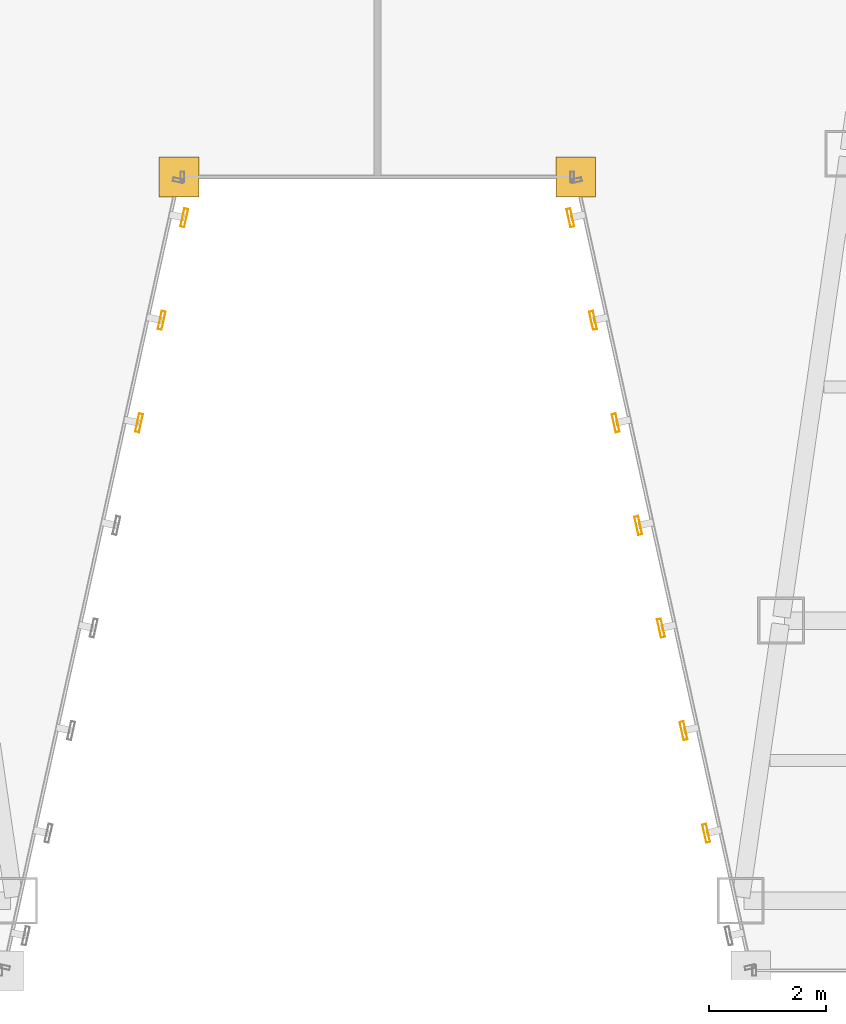
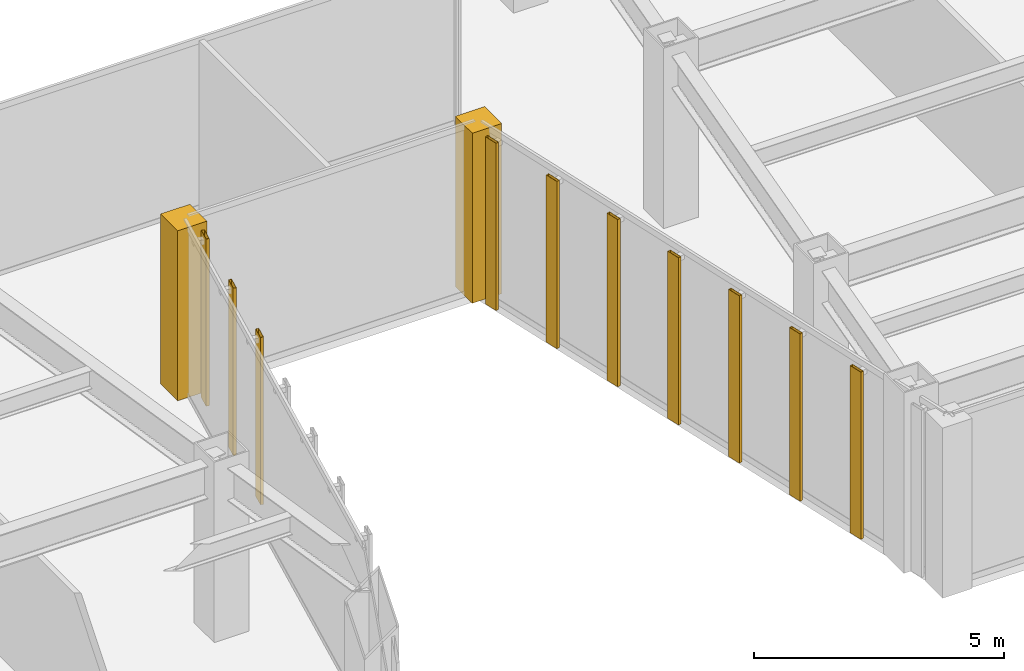
# One storey, part 42 of 47: 10 shading devices, 2 coverings.
"""IFC4 building model written with IfcOpenShell, lengths in metres."""

from ifc_helpers import new_model, si_unit, direction, frame, origin, origin_2d, place, context, subcontext, project, spatial, polyline, hollow_rectangle, outline, extrude, material, layer, layer_set, material_profile, profile_set, type_object, element, save


model = new_model("IFC4")

# Units and contexts
model_context = context("Model", 3, precision=1e-05, world=origin(), true_north=direction((0.0, 1.0)))
body_context = subcontext(model_context, "Body", "Model", "MODEL_VIEW")
ifc_project = project(units=[si_unit("LENGTHUNIT", "METRE"), si_unit("AREAUNIT", "SQUARE_METRE"), si_unit("VOLUMEUNIT", "CUBIC_METRE"), si_unit("PLANEANGLEUNIT", "RADIAN"), si_unit("MASSUNIT", "GRAM", prefix="KILO")], contexts=[model_context])

# Site, building, storey
site_placement = place(None, origin())
site = spatial("IfcSite", under=ifc_project, at=site_placement, CompositionType="ELEMENT")
building_placement = place(site_placement, origin())
building = spatial("IfcBuilding", under=site, at=building_placement, Name="Saevonmaru Cultural Tower", CompositionType="ELEMENT")
storey_placement = place(building_placement, frame((0.0, 0.0, 51.60009765625)))
storey = spatial("IfcBuildingStorey", under=building, at=storey_placement, Name="L10", CompositionType="ELEMENT", Elevation=51.60009765625)

# Coverings
ifc_material = material(Name="Satin Bronze Anodised Aluminium", Category="aluminium")
ifc_layer = layer(ifc_material, 0.679931640625, Name="Satin Bronze Anodised Aluminium")
ifc_layer_set = layer_set([ifc_layer], Name="Satin Bronze Anodised Aluminium")
covering_type = type_object("IfcCoveringType", Name="CV-CORNER-CLAD", PredefinedType="CLADDING", material=ifc_layer_set)
covering_1_placement = place(storey_placement, origin())
element("IfcCovering", 1, at=covering_1_placement, inside=storey, type_object=covering_type, Name="L10 Tower Bronze Corner Cladding Pier 4", PredefinedType="CLADDING", context=body_context, shape_type="SweptSolid", body=[
    extrude(outline(polyline([(26.260009765625, 15.260009765625), (26.93994140625, 15.260009765625), (26.93994140625, 15.93994140625), (26.260009765625, 15.93994140625), (26.260009765625, 15.260009765625)])), origin(), (0.0, 0.0, 1.0), 4.14990234375),
])
covering_2_placement = place(storey_placement, origin())
element("IfcCovering", 2, at=covering_2_placement, inside=storey, type_object=covering_type, Name="L10 Tower Bronze Corner Cladding Pier 5", PredefinedType="CLADDING", context=body_context, shape_type="SweptSolid", body=[
    extrude(outline(polyline([(33.06005859375, 15.260009765625), (33.739990234375, 15.260009765625), (33.739990234375, 15.93994140625), (33.06005859375, 15.93994140625), (33.06005859375, 15.260009765625)])), origin(), (0.0, 0.0, 1.0), 4.14990234375),
])

# Shading devices
ifc_material_profile = material_profile(ifc_material, hollow_rectangle(XDim=0.070068359375, YDim=0.320068359375, WallThickness=0.0048828125, at=origin_2d()), Name="FIN-320x70")
ifc_profile_set = profile_set([ifc_material_profile], Name="Satin Bronze Anodised Aluminium")
shading_device_type = type_object("IfcShadingDeviceType", Name="SHD-FIN-320", PredefinedType="JALOUSIE", material=ifc_profile_set)
for number, where, z_axis, x_axis, name in (
    (3, (25.916015625, 11.385009765625, 0.0498046875), (0.0, 0.0, 1.0), (0.976522126798, -0.215417120661, 0.0), "L10 Art Deco Sawtooth Bronze Fin E3-06"),
    (4, (26.3037109375, 13.142578125, 0.0498046875), (0.0, 0.0, 1.0), (0.976522126798, -0.215417120661, 0.0), "L10 Art Deco Sawtooth Bronze Fin E3-07"),
    (5, (26.69140625, 14.900390625, 0.0498046875), (0.0, 0.0, 1.0), (0.976522126798, -0.215417120661, 0.0), "L10 Art Deco Sawtooth Bronze Fin E3-08"),
    (6, (33.30859375, 14.900390625, 0.0498046875), (0.0, 0.0, 1.0), (-0.976522126798, -0.215417120661, 0.0), "L10 Art Deco Sawtooth Bronze Fin E5-01"),
    (7, (33.6962890625, 13.142578125, 0.0498046875), (0.0, 0.0, 1.0), (-0.976522126798, -0.215417120661, 0.0), "L10 Art Deco Sawtooth Bronze Fin E5-02"),
    (8, (34.083984375, 11.385009765625, 0.0498046875), (0.0, 0.0, 1.0), (-0.976522126798, -0.215417120661, 0.0), "L10 Art Deco Sawtooth Bronze Fin E5-03"),
    (9, (34.4716796875, 9.627197265625, 0.0498046875), (0.0, 0.0, 1.0), (-0.976522126798, -0.215417120661, 0.0), "L10 Art Deco Sawtooth Bronze Fin E5-04"),
    (10, (34.859619140625, 7.869384765625, 0.0498046875), (0.0, 0.0, 1.0), (-0.976522126798, -0.215417120661, 0.0), "L10 Art Deco Sawtooth Bronze Fin E5-05"),
    (11, (35.247314453125, 6.11181640625, 0.0498046875), (0.0, 0.0, 1.0), (-0.976522126798, -0.215417120661, 0.0), "L10 Art Deco Sawtooth Bronze Fin E5-06"),
    (12, (35.635009765625, 4.35400390625, 0.0498046875), (0.0, 0.0, 1.0), (-0.976522126798, -0.215417120661, 0.0), "L10 Art Deco Sawtooth Bronze Fin E5-07"),
):
    element("IfcShadingDevice", number, at=place(storey_placement, frame(where, z_axis=z_axis, x_axis=x_axis)), inside=storey, type_object=shading_device_type, Name=name, PredefinedType="JALOUSIE", context=body_context, shape_type="SweptSolid", body=[
        extrude(hollow_rectangle(XDim=0.070068359375, YDim=0.320068359375, WallThickness=0.0048828125, at=origin_2d()), origin(), (0.0, 0.0, 1.0), 4.080078125),
    ])

save(model, "model.ifc")
